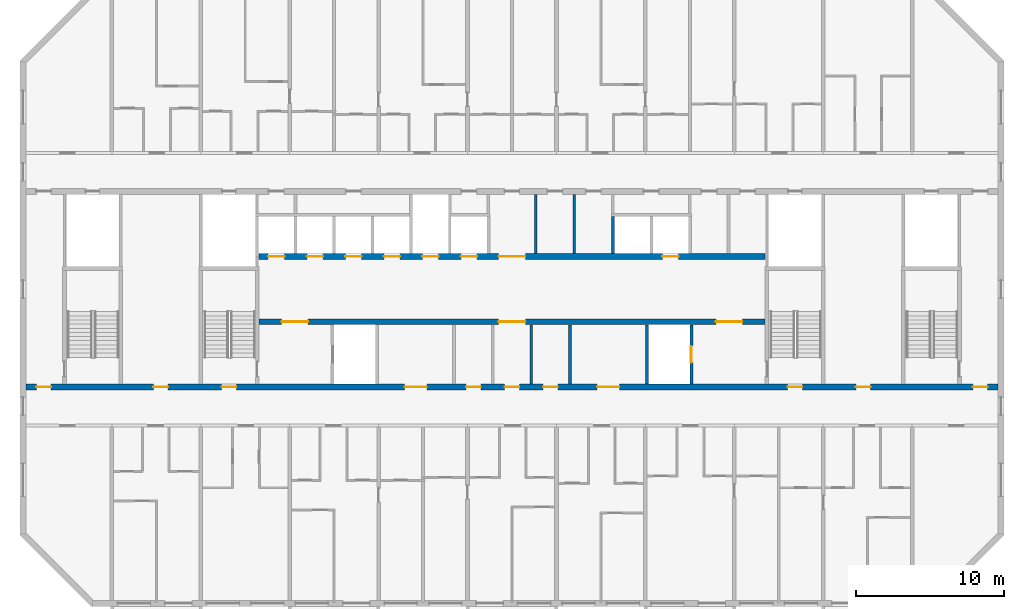
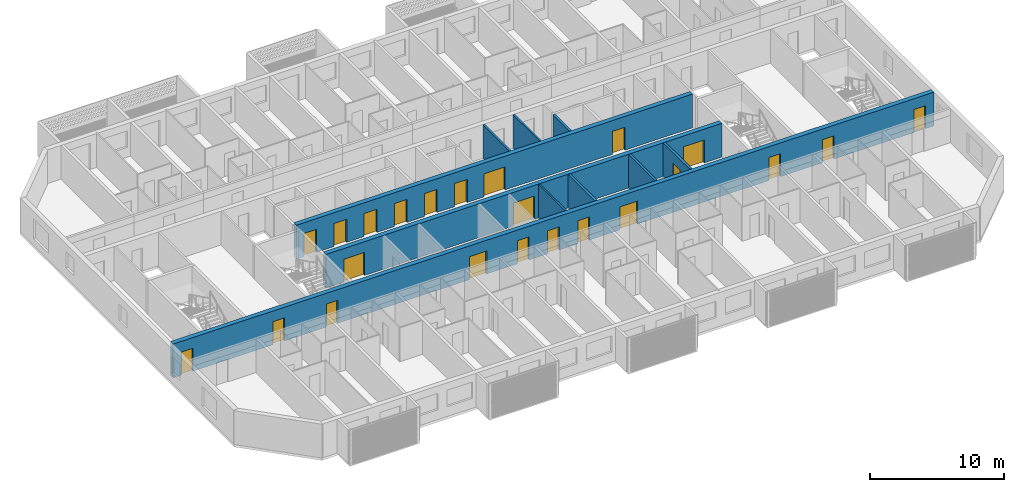
# One storey, part 6 of 27: 23 doors, 10 walls, 23 openings.
"""IFC4 building model written with IfcOpenShell, lengths in metres."""

import ifcopenshell
import ifcopenshell.guid

model = None  # the IFC model being written
_history = None  # IfcOwnerHistory: only IFC2X3 demands one
_inside = {}  # id of a spatial element -> (the spatial element, [elements in it])
_under = {}  # id of a project, library or spatial element -> (it, [spatial elements below it])
_declared = {}  # id of a project -> (the project, [libraries it declares])
_typed = {}  # id of a type object -> (the type object, [elements of that type])
_made_of = {}  # id of a material, layer set ... -> (it, [elements and type objects made of it])


def new_model(schema):
    """Start an empty IFC model of exactly this schema.

    Asked for "IFC4X3", IfcOpenShell would pick the latest addendum, in which some entities
    have other attributes; the version numbers below select the first issue.
    IFC2X3 requires an IfcOwnerHistory on every rooted entity: one is made here for all.
    """
    global model, _history
    if schema == "IFC4X3":
        model = ifcopenshell.file(schema_version=(4, 3, 0, 0))
    else:
        model = ifcopenshell.file(schema=schema)
    _inside.clear()
    _under.clear()
    _declared.clear()
    _typed.clear()
    _made_of.clear()
    _history = None
    if model.schema == "IFC2X3":
        org = make("IfcOrganization", Name="unknown")
        user = make(
            "IfcPersonAndOrganization",
            ThePerson=make("IfcPerson", FamilyName="unknown"),
            TheOrganization=org,
        )
        app = make(
            "IfcApplication",
            ApplicationDeveloper=org,
            Version="unknown",
            ApplicationFullName="unknown",
            ApplicationIdentifier="unknown",
        )
        _history = make(
            "IfcOwnerHistory",
            OwningUser=user,
            OwningApplication=app,
            ChangeAction="ADDED",
            CreationDate=0,
        )
    return model


def make(cls, **values):
    """One entity of the class cls with the attributes given. An attribute that is None is left unset."""
    return model.create_entity(
        cls, **{name: value for name, value in values.items() if value is not None}
    )


def rooted(cls, **values):
    """An entity with a GlobalId (a new one), such as an element, a storey or a relation."""
    return make(cls, GlobalId=ifcopenshell.guid.new(), OwnerHistory=_history, **values)


def si_unit(unit_type, name, prefix=None):
    """IfcSIUnit, for example si_unit("LENGTHUNIT", "METRE", prefix="MILLI")."""
    return make("IfcSIUnit", UnitType=unit_type, Prefix=prefix, Name=name)


def assignment(units):
    """IfcUnitAssignment: the units of a project."""
    return None if units is None else make("IfcUnitAssignment", Units=units)


def point(xyz):
    """IfcCartesianPoint."""
    return None if xyz is None else make("IfcCartesianPoint", Coordinates=xyz)


def direction(xyz):
    """IfcDirection."""
    return None if xyz is None else make("IfcDirection", DirectionRatios=xyz)


def frame(location, z_axis=None, x_axis=None):
    """IfcAxis2Placement3D, a coordinate frame: its origin and axes. An axis left out is left unset."""
    return make(
        "IfcAxis2Placement3D",
        Location=point(location),
        Axis=direction(z_axis),
        RefDirection=direction(x_axis),
    )


def frame_2d(location, x_axis=None):
    """IfcAxis2Placement2D, a coordinate frame in the plane: its origin and x axis."""
    return make(
        "IfcAxis2Placement2D", Location=point(location), RefDirection=direction(x_axis)
    )


def origin():
    """The frame at (0, 0, 0) with its axes left unset."""
    return frame((0.0, 0.0, 0.0))


def place(relative_to, where):
    """IfcLocalPlacement: puts the frame where relative to a parent placement (None: the world)."""
    return make(
        "IfcLocalPlacement", PlacementRelTo=relative_to, RelativePlacement=where
    )


def context(
    kind, dimensions, precision=None, world=None, true_north=None, identifier=None
):
    """IfcGeometricRepresentationContext, for example the 3D "Model" context."""
    return make(
        "IfcGeometricRepresentationContext",
        ContextIdentifier=identifier,
        ContextType=kind,
        CoordinateSpaceDimension=dimensions,
        Precision=precision,
        WorldCoordinateSystem=world,
        TrueNorth=true_north,
    )


def subcontext(parent, identifier, kind, view, scale=None):
    """IfcGeometricRepresentationSubContext, for example "Body" below "Model"."""
    return make(
        "IfcGeometricRepresentationSubContext",
        ContextIdentifier=identifier,
        ContextType=kind,
        ParentContext=parent,
        TargetScale=scale,
        TargetView=view,
    )


def project(units=None, contexts=None):
    """IfcProject with its units and contexts."""
    return rooted(
        "IfcProject",
        Name="project",
        RepresentationContexts=contexts,
        UnitsInContext=assignment(units),
    )


def spatial(cls, under=None, at=None, **own):
    """A site, building, storey or space (cls), placed at a placement, below another one or the project."""
    s = rooted(cls, ObjectPlacement=at, **own)
    if under is not None:
        _under.setdefault(under.id(), (under, []))[1].append(s)
    return s


def profile(cls, at=None, kind="AREA", **sizes):
    """A parametric profile (cls). Its sizes go by their IFC names, for example OverallWidth=200.0."""
    return make(cls, ProfileType=kind, Position=at, **sizes)


def rectangle(**sizes):
    """IfcRectangleProfileDef."""
    return profile("IfcRectangleProfileDef", **sizes)


def extrude(swept, where, along, depth):
    """IfcExtrudedAreaSolid: the profile swept, set in the frame where, extruded along a direction by depth."""
    return make(
        "IfcExtrudedAreaSolid",
        SweptArea=swept,
        Position=where,
        ExtrudedDirection=direction(along),
        Depth=depth,
    )


def shape(context_of_items, identifier, shape_type, items):
    """IfcShapeRepresentation: the items that make up one representation, for example the "Body"."""
    return make(
        "IfcShapeRepresentation",
        ContextOfItems=context_of_items,
        RepresentationIdentifier=identifier,
        RepresentationType=shape_type,
        Items=items,
    )


def material(Name=None, Category=None):
    """IfcMaterial."""
    return make("IfcMaterial", Name=Name, Category=Category)


def layer(
    of_material, thickness, ventilated=None, Name=None, Category=None, Priority=None
):
    """IfcMaterialLayer: one layer of a wall or slab, of a material (None: an air gap)."""
    return make(
        "IfcMaterialLayer",
        Material=of_material,
        LayerThickness=thickness,
        IsVentilated=ventilated,
        Name=Name,
        Category=Category,
        Priority=Priority,
    )


def layer_set(layers, Name=None):
    """IfcMaterialLayerSet."""
    return make("IfcMaterialLayerSet", MaterialLayers=layers, LayerSetName=Name)


def made_of(thing, what):
    """Note that an element or type object is made of a material, layer set ...; save() writes the relation."""
    if what is not None:
        _made_of.setdefault(what.id(), (what, []))[1].append(thing)
    return thing


def type_object(cls, material=None, **own):
    """A type object (cls), such as IfcWallType, which elements share."""
    return made_of(rooted(cls, **own), material)


def element(
    cls,
    number,
    at=None,
    inside=None,
    cuts=None,
    type_object=None,
    material=None,
    context=None,
    identifier="Body",
    shape_type=None,
    held_by="IfcProductDefinitionShape",
    body=None,
    shapes=None,
    **own,
):
    """One element of the class cls, such as IfcWall. Its Tag is "e" and its number.

    at: its placement. inside: the storey or other place that contains it. cuts: it is an
    opening in that element (IfcRelVoidsElement). A single representation is given by context,
    identifier, shape_type and body (its items); several are given by shapes. held_by: the class
    of the entity that holds the representations. save() writes the other relations.
    """
    e = rooted(cls, Tag="e%d" % number, ObjectPlacement=at, **own)
    if body is not None:
        shapes = [shape(context, identifier, shape_type, body)]
    if shapes is not None:
        e.Representation = make(held_by, Representations=shapes)
    if inside is not None:
        _inside.setdefault(inside.id(), (inside, []))[1].append(e)
    if cuts is not None:
        rooted(
            "IfcRelVoidsElement", RelatingBuildingElement=cuts, RelatedOpeningElement=e
        )
    if type_object is not None:
        _typed.setdefault(type_object.id(), (type_object, []))[1].append(e)
    return made_of(e, material)


def fill(opening, filler):
    """IfcRelFillsElement: the door or window that sits in an opening."""
    return rooted(
        "IfcRelFillsElement",
        RelatingOpeningElement=opening,
        RelatedBuildingElement=filler,
    )


def aggregate(whole, parts):
    """IfcRelAggregates: a whole, such as a stair, and the parts it consists of."""
    return rooted("IfcRelAggregates", RelatingObject=whole, RelatedObjects=parts)


def save(model, path):
    """Write the relations noted so far, then the file.

    IfcRelAggregates (storeys below a building ...), IfcRelContainedInSpatialStructure (elements
    in a storey), IfcRelDefinesByType, IfcRelAssociatesMaterial and IfcRelDeclares: one each for
    every whole, place, type object, material and project.
    """
    for whole, parts in _under.values():
        aggregate(whole, parts)
    for where, things in _inside.values():
        rooted(
            "IfcRelContainedInSpatialStructure",
            RelatedElements=things,
            RelatingStructure=where,
        )
    for kind, things in _typed.values():
        rooted("IfcRelDefinesByType", RelatedObjects=things, RelatingType=kind)
    for what, things in _made_of.values():
        rooted("IfcRelAssociatesMaterial", RelatedObjects=things, RelatingMaterial=what)
    for by, libraries in _declared.values():
        rooted("IfcRelDeclares", RelatingContext=by, RelatedDefinitions=libraries)
    model.write(path)


model = new_model("IFC4")

# Units and contexts
model_context = context("Model", 3, precision=1e-05, world=origin(), true_north=direction((0.0, 1.0)))
body_context = subcontext(model_context, "Body", "Model", "MODEL_VIEW")
ifc_project = project(units=[si_unit("LENGTHUNIT", "METRE"), si_unit("AREAUNIT", "SQUARE_METRE"), si_unit("VOLUMEUNIT", "CUBIC_METRE"), si_unit("PLANEANGLEUNIT", "RADIAN"), si_unit("MASSUNIT", "GRAM", prefix="KILO")], contexts=[model_context])

# Site, building, storey
site_placement = place(None, origin())
site = spatial("IfcSite", under=ifc_project, at=site_placement, CompositionType="ELEMENT")
building_placement = place(site_placement, origin())
building = spatial("IfcBuilding", under=site, at=building_placement, Name="Poui Terraces", CompositionType="ELEMENT")
storey_placement = place(building_placement, frame((0.0, 0.0, 191.699951171875)))
storey = spatial("IfcBuildingStorey", under=building, at=storey_placement, Name="L53", CompositionType="ELEMENT", Elevation=191.699951171875)

# Wall, openings, doors
ifc_material_1 = material(Name="Concrete 50 MPa", Category="concrete")
ifc_layer_1 = layer(ifc_material_1, 0.39990234375)
ifc_layer_set_1 = layer_set([ifc_layer_1], Name="Concrete 50 MPa")
wall_type_1 = type_object("IfcWallType", Name="CORE WALL 400 50 MPA", PredefinedType="SOLIDWALL", material=ifc_layer_set_1)
wall_1_placement = place(storey_placement, frame((33.925048828125, 19.0, 0.0), z_axis=(0.0, 0.0, 1.0), x_axis=(1.0, 0.0, 0.0)))
wall_1 = element("IfcWall", 1, at=wall_1_placement, inside=storey, type_object=wall_type_1, Name="CORE WALL", PredefinedType="SOLIDWALL", context=body_context, shape_type="SweptSolid", body=[
    extrude(rectangle(XDim=34.14990234375, YDim=0.39990234375, at=frame_2d((17.074951171875, 0.0))), origin(), (0.0, 0.0, 1.0), 3.080078125),
])
opening_1_placement = place(wall_1_placement, frame((16.175048828125, 0.0, 0.0)))
opening_1 = element("IfcOpeningElement", 2, at=opening_1_placement, cuts=wall_1, Name="Opening FDD60", PredefinedType="OPENING", context=body_context, shape_type="SweptSolid", body=[
    extrude(rectangle(XDim=1.800048828125, YDim=2.10009765625, at=frame_2d((0.89990234375, 1.050048828125))), frame((0.0, 0.2099609375, 0.0), z_axis=(0.0, -1.0, 0.0), x_axis=(1.0, 0.0, 0.0)), (0.0, 0.0, 1.0), 0.419921875),
])
opening_2_placement = place(wall_1_placement, frame((1.52490234375, 0.0, 0.0)))
opening_2 = element("IfcOpeningElement", 3, at=opening_2_placement, cuts=wall_1, Name="Opening FDD60", PredefinedType="OPENING", context=body_context, shape_type="SweptSolid", body=[
    extrude(rectangle(XDim=1.800048828125, YDim=2.10009765625, at=frame_2d((0.89990234375, 1.050048828125))), frame((0.0, 0.2099609375, 0.0), z_axis=(0.0, -1.0, 0.0), x_axis=(1.0, 0.0, 0.0)), (0.0, 0.0, 1.0), 0.419921875),
])
opening_3_placement = place(wall_1_placement, frame((30.824951171875, 0.0, 0.0)))
opening_3 = element("IfcOpeningElement", 4, at=opening_3_placement, cuts=wall_1, Name="Opening FDD60", PredefinedType="OPENING", context=body_context, shape_type="SweptSolid", body=[
    extrude(rectangle(XDim=1.800048828125, YDim=2.10009765625, at=frame_2d((0.89990234375, 1.050048828125))), frame((0.0, 0.2099609375, 0.0), z_axis=(0.0, -1.0, 0.0), x_axis=(1.0, 0.0, 0.0)), (0.0, 0.0, 1.0), 0.419921875),
])
ifc_material_2 = material(Name="Steel fire door", Category="steel")
door_type_1 = type_object("IfcDoorType", Name="DOUBLE LOBBY FIRE DOOR 1800 X 2100", OperationType="DOUBLE_DOOR_SINGLE_SWING", PredefinedType="DOOR", material=ifc_material_2)
door_1_placement = place(opening_1_placement, frame((1.800048828125, 0.0, 0.0), z_axis=(0.0, 0.0, 1.0), x_axis=(-1.0, 0.0, 0.0)))
door_1 = element("IfcDoor", 5, at=door_1_placement, inside=storey, type_object=door_type_1, Name="DOUBLE LOBBY FIRE DOOR 104", OperationType="DOUBLE_DOOR_SINGLE_SWING", OverallHeight=2.10009765625, OverallWidth=1.800048828125, PredefinedType="DOOR", context=body_context, shape_type="SweptSolid", body=[
    extrude(rectangle(XDim=1.800048828125, YDim=2.10009765625, at=frame_2d((0.89990234375, 1.050048828125))), frame((0.0, 0.02490234375, 0.0), z_axis=(0.0, -1.0, 0.0), x_axis=(1.0, 0.0, 0.0)), (0.0, 0.0, 1.0), 0.050048828125),
])
fill(opening_1, door_1)
door_2_placement = place(opening_2_placement, origin())
door_2 = element("IfcDoor", 6, at=door_2_placement, inside=storey, type_object=door_type_1, Name="DOUBLE LOBBY FIRE DOOR 106", OperationType="DOUBLE_DOOR_SINGLE_SWING", OverallHeight=2.10009765625, OverallWidth=1.800048828125, PredefinedType="DOOR", context=body_context, shape_type="SweptSolid", body=[
    extrude(rectangle(XDim=1.800048828125, YDim=2.10009765625, at=frame_2d((0.89990234375, 1.050048828125))), frame((0.0, 0.02490234375, 0.0), z_axis=(0.0, -1.0, 0.0), x_axis=(1.0, 0.0, 0.0)), (0.0, 0.0, 1.0), 0.050048828125),
])
fill(opening_2, door_2)
door_3_placement = place(opening_3_placement, origin())
door_3 = element("IfcDoor", 7, at=door_3_placement, inside=storey, type_object=door_type_1, Name="DOUBLE LOBBY FIRE DOOR 113", OperationType="DOUBLE_DOOR_SINGLE_SWING", OverallHeight=2.10009765625, OverallWidth=1.800048828125, PredefinedType="DOOR", context=body_context, shape_type="SweptSolid", body=[
    extrude(rectangle(XDim=1.800048828125, YDim=2.10009765625, at=frame_2d((0.89990234375, 1.050048828125))), frame((0.0, 0.02490234375, 0.0), z_axis=(0.0, -1.0, 0.0), x_axis=(1.0, 0.0, 0.0)), (0.0, 0.0, 1.0), 0.050048828125),
])
fill(opening_3, door_3)

wall_2_placement = place(storey_placement, frame((33.925048828125, 23.39990234375, 0.0), z_axis=(0.0, 0.0, 1.0), x_axis=(1.0, 0.0, 0.0)))
wall_2 = element("IfcWall", 8, at=wall_2_placement, inside=storey, type_object=wall_type_1, Name="CORE WALL", PredefinedType="SOLIDWALL", context=body_context, shape_type="SweptSolid", body=[
    extrude(rectangle(XDim=34.14990234375, YDim=0.39990234375, at=frame_2d((17.074951171875, 0.0))), origin(), (0.0, 0.0, 1.0), 3.080078125),
])
opening_4_placement = place(wall_2_placement, frame((16.175048828125, 0.0, 0.0)))
opening_4 = element("IfcOpeningElement", 9, at=opening_4_placement, cuts=wall_2, Name="Opening FDD60", PredefinedType="OPENING", context=body_context, shape_type="SweptSolid", body=[
    extrude(rectangle(XDim=1.800048828125, YDim=2.10009765625, at=frame_2d((0.89990234375, 1.050048828125))), frame((0.0, 0.2099609375, 0.0), z_axis=(0.0, -1.0, 0.0), x_axis=(1.0, 0.0, 0.0)), (0.0, 0.0, 1.0), 0.419921875),
])
opening_5_placement = place(wall_2_placement, frame((0.625, 0.0, 0.0)))
opening_5 = element("IfcOpeningElement", 10, at=opening_5_placement, cuts=wall_2, Name="Opening LD", PredefinedType="OPENING", context=body_context, shape_type="SweptSolid", body=[
    extrude(rectangle(XDim=1.10009765625, YDim=2.10009765625, at=frame_2d((0.550048828125, 1.050048828125))), frame((0.0, 0.2099609375, 0.0), z_axis=(0.0, -1.0, 0.0), x_axis=(1.0, 0.0, 0.0)), (0.0, 0.0, 1.0), 0.419921875),
])
opening_6_placement = place(wall_2_placement, frame((3.22509765625, 0.0, 0.0)))
opening_6 = element("IfcOpeningElement", 11, at=opening_6_placement, cuts=wall_2, Name="Opening LD", PredefinedType="OPENING", context=body_context, shape_type="SweptSolid", body=[
    extrude(rectangle(XDim=1.10009765625, YDim=2.10009765625, at=frame_2d((0.550048828125, 1.050048828125))), frame((0.0, 0.2099609375, 0.0), z_axis=(0.0, -1.0, 0.0), x_axis=(1.0, 0.0, 0.0)), (0.0, 0.0, 1.0), 0.419921875),
])
opening_7_placement = place(wall_2_placement, frame((5.824951171875, 0.0, 0.0)))
opening_7 = element("IfcOpeningElement", 12, at=opening_7_placement, cuts=wall_2, Name="Opening LD", PredefinedType="OPENING", context=body_context, shape_type="SweptSolid", body=[
    extrude(rectangle(XDim=1.10009765625, YDim=2.10009765625, at=frame_2d((0.550048828125, 1.050048828125))), frame((0.0, 0.2099609375, 0.0), z_axis=(0.0, -1.0, 0.0), x_axis=(1.0, 0.0, 0.0)), (0.0, 0.0, 1.0), 0.419921875),
])
opening_8_placement = place(wall_2_placement, frame((8.425048828125, 0.0, 0.0)))
opening_8 = element("IfcOpeningElement", 13, at=opening_8_placement, cuts=wall_2, Name="Opening LD", PredefinedType="OPENING", context=body_context, shape_type="SweptSolid", body=[
    extrude(rectangle(XDim=1.10009765625, YDim=2.10009765625, at=frame_2d((0.550048828125, 1.050048828125))), frame((0.0, 0.2099609375, 0.0), z_axis=(0.0, -1.0, 0.0), x_axis=(1.0, 0.0, 0.0)), (0.0, 0.0, 1.0), 0.419921875),
])
opening_9_placement = place(wall_2_placement, frame((11.02490234375, 0.0, 0.0)))
opening_9 = element("IfcOpeningElement", 14, at=opening_9_placement, cuts=wall_2, Name="Opening LD", PredefinedType="OPENING", context=body_context, shape_type="SweptSolid", body=[
    extrude(rectangle(XDim=1.10009765625, YDim=2.10009765625, at=frame_2d((0.550048828125, 1.050048828125))), frame((0.0, 0.2099609375, 0.0), z_axis=(0.0, -1.0, 0.0), x_axis=(1.0, 0.0, 0.0)), (0.0, 0.0, 1.0), 0.419921875),
])
opening_10_placement = place(wall_2_placement, frame((13.625, 0.0, 0.0)))
opening_10 = element("IfcOpeningElement", 15, at=opening_10_placement, cuts=wall_2, Name="Opening LD", PredefinedType="OPENING", context=body_context, shape_type="SweptSolid", body=[
    extrude(rectangle(XDim=1.10009765625, YDim=2.10009765625, at=frame_2d((0.550048828125, 1.050048828125))), frame((0.0, 0.2099609375, 0.0), z_axis=(0.0, -1.0, 0.0), x_axis=(1.0, 0.0, 0.0)), (0.0, 0.0, 1.0), 0.419921875),
])
opening_11_placement = place(wall_2_placement, frame((27.22509765625, 0.0, 0.0)))
opening_11 = element("IfcOpeningElement", 16, at=opening_11_placement, cuts=wall_2, Name="Opening LD", PredefinedType="OPENING", context=body_context, shape_type="SweptSolid", body=[
    extrude(rectangle(XDim=1.10009765625, YDim=2.10009765625, at=frame_2d((0.550048828125, 1.050048828125))), frame((0.0, 0.2099609375, 0.0), z_axis=(0.0, -1.0, 0.0), x_axis=(1.0, 0.0, 0.0)), (0.0, 0.0, 1.0), 0.419921875),
])
door_4_placement = place(opening_4_placement, origin())
door_4 = element("IfcDoor", 17, at=door_4_placement, inside=storey, type_object=door_type_1, Name="DOUBLE LOBBY FIRE DOOR 103", OperationType="DOUBLE_DOOR_SINGLE_SWING", OverallHeight=2.10009765625, OverallWidth=1.800048828125, PredefinedType="DOOR", context=body_context, shape_type="SweptSolid", body=[
    extrude(rectangle(XDim=1.800048828125, YDim=2.10009765625, at=frame_2d((0.89990234375, 1.050048828125))), frame((0.0, 0.02490234375, 0.0), z_axis=(0.0, -1.0, 0.0), x_axis=(1.0, 0.0, 0.0)), (0.0, 0.0, 1.0), 0.050048828125),
])
fill(opening_4, door_4)
ifc_material_3 = material(Name="Stainless steel sliding door", Category="steel")
door_type_2 = type_object("IfcDoorType", Name="LIFT LANDING DOOR 1100 X 2100", OperationType="DOUBLE_DOOR_SLIDING", PredefinedType="DOOR", material=ifc_material_3)
door_5_placement = place(opening_5_placement, origin())
door_5 = element("IfcDoor", 18, at=door_5_placement, inside=storey, type_object=door_type_2, Name="LANDING DOOR", OperationType="DOUBLE_DOOR_SLIDING", OverallHeight=2.10009765625, OverallWidth=1.10009765625, PredefinedType="DOOR", context=body_context, shape_type="SweptSolid", body=[
    extrude(rectangle(XDim=1.10009765625, YDim=2.10009765625, at=frame_2d((0.550048828125, 1.050048828125))), frame((0.0, 0.02490234375, 0.0), z_axis=(0.0, -1.0, 0.0), x_axis=(1.0, 0.0, 0.0)), (0.0, 0.0, 1.0), 0.050048828125),
])
fill(opening_5, door_5)
door_6_placement = place(opening_6_placement, origin())
door_6 = element("IfcDoor", 19, at=door_6_placement, inside=storey, type_object=door_type_2, Name="LANDING DOOR", OperationType="DOUBLE_DOOR_SLIDING", OverallHeight=2.10009765625, OverallWidth=1.10009765625, PredefinedType="DOOR", context=body_context, shape_type="SweptSolid", body=[
    extrude(rectangle(XDim=1.10009765625, YDim=2.10009765625, at=frame_2d((0.550048828125, 1.050048828125))), frame((0.0, 0.02490234375, 0.0), z_axis=(0.0, -1.0, 0.0), x_axis=(1.0, 0.0, 0.0)), (0.0, 0.0, 1.0), 0.050048828125),
])
fill(opening_6, door_6)
door_7_placement = place(opening_7_placement, origin())
door_7 = element("IfcDoor", 20, at=door_7_placement, inside=storey, type_object=door_type_2, Name="LANDING DOOR", OperationType="DOUBLE_DOOR_SLIDING", OverallHeight=2.10009765625, OverallWidth=1.10009765625, PredefinedType="DOOR", context=body_context, shape_type="SweptSolid", body=[
    extrude(rectangle(XDim=1.10009765625, YDim=2.10009765625, at=frame_2d((0.550048828125, 1.050048828125))), frame((0.0, 0.02490234375, 0.0), z_axis=(0.0, -1.0, 0.0), x_axis=(1.0, 0.0, 0.0)), (0.0, 0.0, 1.0), 0.050048828125),
])
fill(opening_7, door_7)
door_8_placement = place(opening_8_placement, origin())
door_8 = element("IfcDoor", 21, at=door_8_placement, inside=storey, type_object=door_type_2, Name="LANDING DOOR", OperationType="DOUBLE_DOOR_SLIDING", OverallHeight=2.10009765625, OverallWidth=1.10009765625, PredefinedType="DOOR", context=body_context, shape_type="SweptSolid", body=[
    extrude(rectangle(XDim=1.10009765625, YDim=2.10009765625, at=frame_2d((0.550048828125, 1.050048828125))), frame((0.0, 0.02490234375, 0.0), z_axis=(0.0, -1.0, 0.0), x_axis=(1.0, 0.0, 0.0)), (0.0, 0.0, 1.0), 0.050048828125),
])
fill(opening_8, door_8)
door_9_placement = place(opening_9_placement, origin())
door_9 = element("IfcDoor", 22, at=door_9_placement, inside=storey, type_object=door_type_2, Name="LANDING DOOR", OperationType="DOUBLE_DOOR_SLIDING", OverallHeight=2.10009765625, OverallWidth=1.10009765625, PredefinedType="DOOR", context=body_context, shape_type="SweptSolid", body=[
    extrude(rectangle(XDim=1.10009765625, YDim=2.10009765625, at=frame_2d((0.550048828125, 1.050048828125))), frame((0.0, 0.02490234375, 0.0), z_axis=(0.0, -1.0, 0.0), x_axis=(1.0, 0.0, 0.0)), (0.0, 0.0, 1.0), 0.050048828125),
])
fill(opening_9, door_9)
door_10_placement = place(opening_10_placement, origin())
door_10 = element("IfcDoor", 23, at=door_10_placement, inside=storey, type_object=door_type_2, Name="LANDING DOOR", OperationType="DOUBLE_DOOR_SLIDING", OverallHeight=2.10009765625, OverallWidth=1.10009765625, PredefinedType="DOOR", context=body_context, shape_type="SweptSolid", body=[
    extrude(rectangle(XDim=1.10009765625, YDim=2.10009765625, at=frame_2d((0.550048828125, 1.050048828125))), frame((0.0, 0.02490234375, 0.0), z_axis=(0.0, -1.0, 0.0), x_axis=(1.0, 0.0, 0.0)), (0.0, 0.0, 1.0), 0.050048828125),
])
fill(opening_10, door_10)
door_11_placement = place(opening_11_placement, origin())
door_11 = element("IfcDoor", 24, at=door_11_placement, inside=storey, type_object=door_type_2, Name="LANDING DOOR", OperationType="DOUBLE_DOOR_SLIDING", OverallHeight=2.10009765625, OverallWidth=1.10009765625, PredefinedType="DOOR", context=body_context, shape_type="SweptSolid", body=[
    extrude(rectangle(XDim=1.10009765625, YDim=2.10009765625, at=frame_2d((0.550048828125, 1.050048828125))), frame((0.0, 0.02490234375, 0.0), z_axis=(0.0, -1.0, 0.0), x_axis=(1.0, 0.0, 0.0)), (0.0, 0.0, 1.0), 0.050048828125),
])
fill(opening_11, door_11)

# Walls
ifc_material_4 = material(Name="Fire-rated plasterboard wall")
ifc_layer_2 = layer(ifc_material_4, 0.14990234375)
ifc_layer_set_2 = layer_set([ifc_layer_2], Name="Fire-rated plasterboard wall")
wall_type_2 = type_object("IfcWallType", Name="CORRIDOR WALL 150", PredefinedType="PARTITIONING", material=ifc_layer_set_2)
for number, where, z_axis, x_axis, name in (
    (25, (52.300048828125, 14.81005859375, 0.0), (0.0, 0.0, 1.0), (0.0, 1.0, 0.0), "CORRIDOR WALL 150"),
    (26, (52.60009765625, 23.610107421875, 0.0), (0.0, 0.0, 1.0), (0.0, 1.0, 0.0), "CORRIDOR WALL 150"),
):
    element("IfcWall", number, at=place(storey_placement, frame(where, z_axis=z_axis, x_axis=x_axis)), inside=storey, type_object=wall_type_2, Name=name, PredefinedType="PARTITIONING", context=body_context, shape_type="SweptSolid", body=[
        extrude(rectangle(XDim=3.97998046875, YDim=0.14990234375, at=frame_2d((1.989990234375, 0.0))), origin(), (0.0, 0.0, 1.0), 3.080078125),
    ])
ifc_material_5 = material(Name="Plasterboard partition")
ifc_layer_3 = layer(ifc_material_5, 0.14990234375)
ifc_layer_set_3 = layer_set([ifc_layer_3], Name="Plasterboard partition")
wall_type_3 = type_object("IfcWallType", Name="PARTITION WALL 150", PredefinedType="PARTITIONING", material=ifc_layer_set_3)
wall_3_placement = place(storey_placement, frame((55.199951171875, 23.610107421875, 0.0), z_axis=(0.0, 0.0, 1.0), x_axis=(0.0, 1.0, 0.0)))
element("IfcWall", 27, at=wall_3_placement, inside=storey, type_object=wall_type_3, Name="PARTITION WALL 150", PredefinedType="PARTITIONING", context=body_context, shape_type="SweptSolid", body=[
    extrude(rectangle(XDim=3.97998046875, YDim=0.14990234375, at=frame_2d((1.989990234375, 0.0))), origin(), (0.0, 0.0, 1.0), 3.080078125),
])
ifc_material_6 = material(Name="Fire-rated masonry wall", Category="masonry")
ifc_layer_4 = layer(ifc_material_6, 0.199951171875)
ifc_layer_set_4 = layer_set([ifc_layer_4], Name="Fire-rated masonry wall")
wall_type_4 = type_object("IfcWallType", Name="PLANT ROOM WALL 200", PredefinedType="PARTITIONING", material=ifc_layer_set_4)
wall_4_placement = place(storey_placement, frame((54.89990234375, 14.81005859375, 0.0), z_axis=(0.0, 0.0, 1.0), x_axis=(0.0, 1.0, 0.0)))
element("IfcWall", 28, at=wall_4_placement, inside=storey, type_object=wall_type_4, Name="PLANT ROOM WALL 200", PredefinedType="PARTITIONING", context=body_context, shape_type="SweptSolid", body=[
    extrude(rectangle(XDim=3.97998046875, YDim=0.199951171875, at=frame_2d((1.989990234375, 0.0))), origin(), (0.0, 0.0, 1.0), 3.080078125),
])
ifc_material_7 = material(Name="Fire-rated masonry shaft wall", Category="masonry")
ifc_layer_5 = layer(ifc_material_7, 0.199951171875)
ifc_layer_set_5 = layer_set([ifc_layer_5], Name="Fire-rated masonry shaft wall")
wall_type_5 = type_object("IfcWallType", Name="SHAFT WALL 200", PredefinedType="PARTITIONING", material=ifc_layer_set_5)
wall_5_placement = place(storey_placement, frame((57.800048828125, 23.610107421875, 0.0), z_axis=(0.0, 0.0, 1.0), x_axis=(0.0, 1.0, 0.0)))
element("IfcWall", 29, at=wall_5_placement, inside=storey, type_object=wall_type_5, Name="SHAFT WALL 200", PredefinedType="PARTITIONING", context=body_context, shape_type="SweptSolid", body=[
    extrude(rectangle(XDim=2.489990234375, YDim=0.199951171875, at=frame_2d((1.2451171875, 0.0))), origin(), (0.0, 0.0, 1.0), 3.080078125),
])
wall_6_placement = place(storey_placement, frame((60.10009765625, 14.81005859375, 0.0), z_axis=(0.0, 0.0, 1.0), x_axis=(0.0, 1.0, 0.0)))
element("IfcWall", 30, at=wall_6_placement, inside=storey, type_object=wall_type_5, Name="SHAFT WALL 200", PredefinedType="PARTITIONING", context=body_context, shape_type="SweptSolid", body=[
    extrude(rectangle(XDim=3.97998046875, YDim=0.199951171875, at=frame_2d((1.989990234375, 0.0))), origin(), (0.0, 0.0, 1.0), 3.080078125),
])

# Wall, opening, door
wall_7_placement = place(storey_placement, frame((63.10009765625, 14.81005859375, 0.0), z_axis=(0.0, 0.0, 1.0), x_axis=(0.0, 1.0, 0.0)))
wall_7 = element("IfcWall", 31, at=wall_7_placement, inside=storey, type_object=wall_type_5, Name="SHAFT WALL 200", PredefinedType="PARTITIONING", context=body_context, shape_type="SweptSolid", body=[
    extrude(rectangle(XDim=3.97998046875, YDim=0.199951171875, at=frame_2d((1.989990234375, 0.0))), origin(), (0.0, 0.0, 1.0), 3.080078125),
])
opening_12_placement = place(wall_7_placement, frame((1.43994140625, 0.0, 0.0)))
opening_12 = element("IfcOpeningElement", 32, at=opening_12_placement, cuts=wall_7, Name="Opening LD", PredefinedType="OPENING", context=body_context, shape_type="SweptSolid", body=[
    extrude(rectangle(XDim=1.10009765625, YDim=2.10009765625, at=frame_2d((0.550048828125, 1.050048828125))), frame((0.0, 0.10986328125, 0.0), z_axis=(0.0, -1.0, 0.0), x_axis=(1.0, 0.0, 0.0)), (0.0, 0.0, 1.0), 0.219970703125),
])
door_12_placement = place(opening_12_placement, origin())
door_12 = element("IfcDoor", 33, at=door_12_placement, inside=storey, type_object=door_type_2, Name="LANDING DOOR", OperationType="DOUBLE_DOOR_SLIDING", OverallHeight=2.10009765625, OverallWidth=1.10009765625, PredefinedType="DOOR", context=body_context, shape_type="SweptSolid", body=[
    extrude(rectangle(XDim=1.10009765625, YDim=2.10009765625, at=frame_2d((0.550048828125, 1.050048828125))), frame((0.0, 0.02490234375, 0.0), z_axis=(0.0, -1.0, 0.0), x_axis=(1.0, 0.0, 0.0)), (0.0, 0.0, 1.0), 0.050048828125),
])
fill(opening_12, door_12)

# Wall, openings, doors
ifc_layer_6 = layer(ifc_material_1, 0.39990234375)
ifc_layer_set_6 = layer_set([ifc_layer_6], Name="Concrete 50 MPa")
wall_type_6 = type_object("IfcWallType", Name="SPINE WALL 400 50 MPA", PredefinedType="SOLIDWALL", material=ifc_layer_set_6)
wall_8_placement = place(storey_placement, frame((18.199951171875, 14.60009765625, 0.0), z_axis=(0.0, 0.0, 1.0), x_axis=(1.0, 0.0, 0.0)))
wall_8 = element("IfcWall", 34, at=wall_8_placement, inside=storey, type_object=wall_type_6, Name="SPINE WALL", PredefinedType="SOLIDWALL", context=body_context, shape_type="SweptSolid", body=[
    extrude(rectangle(XDim=65.60009765625, YDim=0.39990234375, at=frame_2d((32.800048828125, 0.0))), origin(), (0.0, 0.0, 1.0), 3.080078125),
])
opening_13_placement = place(wall_8_placement, frame((0.699951171875, 0.0, 0.0)))
opening_13 = element("IfcOpeningElement", 35, at=opening_13_placement, cuts=wall_8, Name="Opening FDL", PredefinedType="OPENING", context=body_context, shape_type="SweptSolid", body=[
    extrude(rectangle(XDim=1.0, YDim=2.10009765625, at=frame_2d((0.5, 1.050048828125))), frame((0.0, 0.2099609375, 0.0), z_axis=(0.0, -1.0, 0.0), x_axis=(1.0, 0.0, 0.0)), (0.0, 0.0, 1.0), 0.419921875),
])
opening_14_placement = place(wall_8_placement, frame((8.60009765625, 0.0, 0.0)))
opening_14 = element("IfcOpeningElement", 36, at=opening_14_placement, cuts=wall_8, Name="Opening D100", PredefinedType="OPENING", context=body_context, shape_type="SweptSolid", body=[
    extrude(rectangle(XDim=1.0, YDim=2.10009765625, at=frame_2d((0.5, 1.050048828125))), frame((0.0, 0.2099609375, 0.0), z_axis=(0.0, -1.0, 0.0), x_axis=(1.0, 0.0, 0.0)), (0.0, 0.0, 1.0), 0.419921875),
])
opening_15_placement = place(wall_8_placement, frame((13.199951171875, 0.0, 0.0)))
opening_15 = element("IfcOpeningElement", 37, at=opening_15_placement, cuts=wall_8, Name="Opening FD60S", PredefinedType="OPENING", context=body_context, shape_type="SweptSolid", body=[
    extrude(rectangle(XDim=1.0, YDim=2.10009765625, at=frame_2d((0.5, 1.050048828125))), frame((0.0, 0.2099609375, 0.0), z_axis=(0.0, -1.0, 0.0), x_axis=(1.0, 0.0, 0.0)), (0.0, 0.0, 1.0), 0.419921875),
])
opening_16_placement = place(wall_8_placement, frame((25.550048828125, 0.0, 0.0)))
opening_16 = element("IfcOpeningElement", 38, at=opening_16_placement, cuts=wall_8, Name="Opening FDP", PredefinedType="OPENING", context=body_context, shape_type="SweptSolid", body=[
    extrude(rectangle(XDim=1.5, YDim=2.10009765625, at=frame_2d((0.75, 1.050048828125))), frame((0.0, 0.2099609375, 0.0), z_axis=(0.0, -1.0, 0.0), x_axis=(1.0, 0.0, 0.0)), (0.0, 0.0, 1.0), 0.419921875),
])
opening_17_placement = place(wall_8_placement, frame((29.699951171875, 0.0, 0.0)))
opening_17 = element("IfcOpeningElement", 39, at=opening_17_placement, cuts=wall_8, Name="Opening FD60", PredefinedType="OPENING", context=body_context, shape_type="SweptSolid", body=[
    extrude(rectangle(XDim=1.0, YDim=2.10009765625, at=frame_2d((0.5, 1.050048828125))), frame((0.0, 0.2099609375, 0.0), z_axis=(0.0, -1.0, 0.0), x_axis=(1.0, 0.0, 0.0)), (0.0, 0.0, 1.0), 0.419921875),
])
opening_18_placement = place(wall_8_placement, frame((32.300048828125, 0.0, 0.0)))
opening_18 = element("IfcOpeningElement", 40, at=opening_18_placement, cuts=wall_8, Name="Opening FDL", PredefinedType="OPENING", context=body_context, shape_type="SweptSolid", body=[
    extrude(rectangle(XDim=1.0, YDim=2.10009765625, at=frame_2d((0.5, 1.050048828125))), frame((0.0, 0.2099609375, 0.0), z_axis=(0.0, -1.0, 0.0), x_axis=(1.0, 0.0, 0.0)), (0.0, 0.0, 1.0), 0.419921875),
])
opening_19_placement = place(wall_8_placement, frame((34.89990234375, 0.0, 0.0)))
opening_19 = element("IfcOpeningElement", 41, at=opening_19_placement, cuts=wall_8, Name="Opening FD60", PredefinedType="OPENING", context=body_context, shape_type="SweptSolid", body=[
    extrude(rectangle(XDim=1.0, YDim=2.10009765625, at=frame_2d((0.5, 1.050048828125))), frame((0.0, 0.2099609375, 0.0), z_axis=(0.0, -1.0, 0.0), x_axis=(1.0, 0.0, 0.0)), (0.0, 0.0, 1.0), 0.419921875),
])
opening_20_placement = place(wall_8_placement, frame((38.550048828125, 0.0, 0.0)))
opening_20 = element("IfcOpeningElement", 42, at=opening_20_placement, cuts=wall_8, Name="Opening FDP", PredefinedType="OPENING", context=body_context, shape_type="SweptSolid", body=[
    extrude(rectangle(XDim=1.5, YDim=2.10009765625, at=frame_2d((0.75, 1.050048828125))), frame((0.0, 0.2099609375, 0.0), z_axis=(0.0, -1.0, 0.0), x_axis=(1.0, 0.0, 0.0)), (0.0, 0.0, 1.0), 0.419921875),
])
opening_21_placement = place(wall_8_placement, frame((51.39990234375, 0.0, 0.0)))
opening_21 = element("IfcOpeningElement", 43, at=opening_21_placement, cuts=wall_8, Name="Opening FD60S", PredefinedType="OPENING", context=body_context, shape_type="SweptSolid", body=[
    extrude(rectangle(XDim=1.0, YDim=2.10009765625, at=frame_2d((0.5, 1.050048828125))), frame((0.0, 0.2099609375, 0.0), z_axis=(0.0, -1.0, 0.0), x_axis=(1.0, 0.0, 0.0)), (0.0, 0.0, 1.0), 0.419921875),
])
opening_22_placement = place(wall_8_placement, frame((56.0, 0.0, 0.0)))
opening_22 = element("IfcOpeningElement", 44, at=opening_22_placement, cuts=wall_8, Name="Opening D100", PredefinedType="OPENING", context=body_context, shape_type="SweptSolid", body=[
    extrude(rectangle(XDim=1.0, YDim=2.10009765625, at=frame_2d((0.5, 1.050048828125))), frame((0.0, 0.2099609375, 0.0), z_axis=(0.0, -1.0, 0.0), x_axis=(1.0, 0.0, 0.0)), (0.0, 0.0, 1.0), 0.419921875),
])
opening_23_placement = place(wall_8_placement, frame((63.89990234375, 0.0, 0.0)))
opening_23 = element("IfcOpeningElement", 45, at=opening_23_placement, cuts=wall_8, Name="Opening FDL", PredefinedType="OPENING", context=body_context, shape_type="SweptSolid", body=[
    extrude(rectangle(XDim=1.0, YDim=2.10009765625, at=frame_2d((0.5, 1.050048828125))), frame((0.0, 0.2099609375, 0.0), z_axis=(0.0, -1.0, 0.0), x_axis=(1.0, 0.0, 0.0)), (0.0, 0.0, 1.0), 0.419921875),
])
ifc_material_8 = material(Name="Solid core timber door", Category="wood")
door_type_3 = type_object("IfcDoorType", Name="ACCESSIBLE INTERNAL DOOR 1000 X 2100", OperationType="NOTDEFINED", PredefinedType="DOOR", material=ifc_material_8)
door_13_placement = place(opening_14_placement, frame((1.0, 0.0, 0.0), z_axis=(0.0, 0.0, 1.0), x_axis=(-1.0, 0.0, 0.0)))
door_13 = element("IfcDoor", 46, at=door_13_placement, inside=storey, type_object=door_type_3, Name="ACCESSIBLE INTERNAL DOOR 017", OperationType="SINGLE_SWING_LEFT", OverallHeight=2.10009765625, OverallWidth=1.0, PredefinedType="DOOR", context=body_context, shape_type="SweptSolid", body=[
    extrude(rectangle(XDim=1.0, YDim=2.10009765625, at=frame_2d((0.5, 1.050048828125))), frame((0.0, 0.02490234375, 0.0), z_axis=(0.0, -1.0, 0.0), x_axis=(1.0, 0.0, 0.0)), (0.0, 0.0, 1.0), 0.050048828125),
])
fill(opening_14, door_13)
door_14_placement = place(opening_22_placement, frame((1.0, 0.0, 0.0), z_axis=(0.0, 0.0, 1.0), x_axis=(-1.0, 0.0, 0.0)))
door_14 = element("IfcDoor", 47, at=door_14_placement, inside=storey, type_object=door_type_3, Name="ACCESSIBLE INTERNAL DOOR 025", OperationType="SINGLE_SWING_RIGHT", OverallHeight=2.10009765625, OverallWidth=1.0, PredefinedType="DOOR", context=body_context, shape_type="SweptSolid", body=[
    extrude(rectangle(XDim=1.0, YDim=2.10009765625, at=frame_2d((0.5, 1.050048828125))), frame((0.0, 0.02490234375, 0.0), z_axis=(0.0, -1.0, 0.0), x_axis=(1.0, 0.0, 0.0)), (0.0, 0.0, 1.0), 0.050048828125),
])
fill(opening_22, door_14)
door_type_4 = type_object("IfcDoorType", Name="LOBBY FIRE DOOR 1000 X 2100", OperationType="NOTDEFINED", PredefinedType="DOOR", material=ifc_material_2)
door_15_placement = place(opening_13_placement, frame((1.0, 0.0, 0.0), z_axis=(0.0, 0.0, 1.0), x_axis=(-1.0, 0.0, 0.0)))
door_15 = element("IfcDoor", 48, at=door_15_placement, inside=storey, type_object=door_type_4, Name="LOBBY FIRE DOOR 016", OperationType="SINGLE_SWING_RIGHT", OverallHeight=2.10009765625, OverallWidth=1.0, PredefinedType="DOOR", context=body_context, shape_type="SweptSolid", body=[
    extrude(rectangle(XDim=1.0, YDim=2.10009765625, at=frame_2d((0.5, 1.050048828125))), frame((0.0, 0.02490234375, 0.0), z_axis=(0.0, -1.0, 0.0), x_axis=(1.0, 0.0, 0.0)), (0.0, 0.0, 1.0), 0.050048828125),
])
fill(opening_13, door_15)
door_16_placement = place(opening_18_placement, frame((1.0, 0.0, 0.0), z_axis=(0.0, 0.0, 1.0), x_axis=(-1.0, 0.0, 0.0)))
door_16 = element("IfcDoor", 49, at=door_16_placement, inside=storey, type_object=door_type_4, Name="LOBBY FIRE DOOR 021", OperationType="SINGLE_SWING_LEFT", OverallHeight=2.10009765625, OverallWidth=1.0, PredefinedType="DOOR", context=body_context, shape_type="SweptSolid", body=[
    extrude(rectangle(XDim=1.0, YDim=2.10009765625, at=frame_2d((0.5, 1.050048828125))), frame((0.0, 0.02490234375, 0.0), z_axis=(0.0, -1.0, 0.0), x_axis=(1.0, 0.0, 0.0)), (0.0, 0.0, 1.0), 0.050048828125),
])
fill(opening_18, door_16)
door_17_placement = place(opening_23_placement, frame((1.0, 0.0, 0.0), z_axis=(0.0, 0.0, 1.0), x_axis=(-1.0, 0.0, 0.0)))
door_17 = element("IfcDoor", 50, at=door_17_placement, inside=storey, type_object=door_type_4, Name="LOBBY FIRE DOOR 026", OperationType="SINGLE_SWING_LEFT", OverallHeight=2.10009765625, OverallWidth=1.0, PredefinedType="DOOR", context=body_context, shape_type="SweptSolid", body=[
    extrude(rectangle(XDim=1.0, YDim=2.10009765625, at=frame_2d((0.5, 1.050048828125))), frame((0.0, 0.02490234375, 0.0), z_axis=(0.0, -1.0, 0.0), x_axis=(1.0, 0.0, 0.0)), (0.0, 0.0, 1.0), 0.050048828125),
])
fill(opening_23, door_17)
door_type_5 = type_object("IfcDoorType", Name="PLANT ROOM DOOR PAIR 1500 X 2100", OperationType="DOUBLE_DOOR_SINGLE_SWING", PredefinedType="DOOR", material=ifc_material_2)
door_18_placement = place(opening_16_placement, frame((1.5, 0.0, 0.0), z_axis=(0.0, 0.0, 1.0), x_axis=(-1.0, 0.0, 0.0)))
door_18 = element("IfcDoor", 51, at=door_18_placement, inside=storey, type_object=door_type_5, Name="PLANT ROOM DOOR PAIR 019", OperationType="DOUBLE_DOOR_SINGLE_SWING", OverallHeight=2.10009765625, OverallWidth=1.5, PredefinedType="DOOR", context=body_context, shape_type="SweptSolid", body=[
    extrude(rectangle(XDim=1.5, YDim=2.10009765625, at=frame_2d((0.75, 1.050048828125))), frame((0.0, 0.02490234375, 0.0), z_axis=(0.0, -1.0, 0.0), x_axis=(1.0, 0.0, 0.0)), (0.0, 0.0, 1.0), 0.050048828125),
])
fill(opening_16, door_18)
door_19_placement = place(opening_20_placement, frame((1.5, 0.0, 0.0), z_axis=(0.0, 0.0, 1.0), x_axis=(-1.0, 0.0, 0.0)))
door_19 = element("IfcDoor", 52, at=door_19_placement, inside=storey, type_object=door_type_5, Name="PLANT ROOM DOOR PAIR 023", OperationType="DOUBLE_DOOR_SINGLE_SWING", OverallHeight=2.10009765625, OverallWidth=1.5, PredefinedType="DOOR", context=body_context, shape_type="SweptSolid", body=[
    extrude(rectangle(XDim=1.5, YDim=2.10009765625, at=frame_2d((0.75, 1.050048828125))), frame((0.0, 0.02490234375, 0.0), z_axis=(0.0, -1.0, 0.0), x_axis=(1.0, 0.0, 0.0)), (0.0, 0.0, 1.0), 0.050048828125),
])
fill(opening_20, door_19)
door_type_6 = type_object("IfcDoorType", Name="SERVICE ROOM FIRE DOOR 1000 X 2100", OperationType="NOTDEFINED", PredefinedType="DOOR", material=ifc_material_2)
door_20_placement = place(opening_17_placement, frame((1.0, 0.0, 0.0), z_axis=(0.0, 0.0, 1.0), x_axis=(-1.0, 0.0, 0.0)))
door_20 = element("IfcDoor", 53, at=door_20_placement, inside=storey, type_object=door_type_6, Name="SERVICE ROOM FIRE DOOR 020", OperationType="SINGLE_SWING_RIGHT", OverallHeight=2.10009765625, OverallWidth=1.0, PredefinedType="DOOR", context=body_context, shape_type="SweptSolid", body=[
    extrude(rectangle(XDim=1.0, YDim=2.10009765625, at=frame_2d((0.5, 1.050048828125))), frame((0.0, 0.02490234375, 0.0), z_axis=(0.0, -1.0, 0.0), x_axis=(1.0, 0.0, 0.0)), (0.0, 0.0, 1.0), 0.050048828125),
])
fill(opening_17, door_20)
door_21_placement = place(opening_19_placement, frame((1.0, 0.0, 0.0), z_axis=(0.0, 0.0, 1.0), x_axis=(-1.0, 0.0, 0.0)))
door_21 = element("IfcDoor", 54, at=door_21_placement, inside=storey, type_object=door_type_6, Name="SERVICE ROOM FIRE DOOR 022", OperationType="SINGLE_SWING_LEFT", OverallHeight=2.10009765625, OverallWidth=1.0, PredefinedType="DOOR", context=body_context, shape_type="SweptSolid", body=[
    extrude(rectangle(XDim=1.0, YDim=2.10009765625, at=frame_2d((0.5, 1.050048828125))), frame((0.0, 0.02490234375, 0.0), z_axis=(0.0, -1.0, 0.0), x_axis=(1.0, 0.0, 0.0)), (0.0, 0.0, 1.0), 0.050048828125),
])
fill(opening_19, door_21)
door_type_7 = type_object("IfcDoorType", Name="STAIR DOOR 1000 X 2100", OperationType="NOTDEFINED", PredefinedType="DOOR", material=ifc_material_2)
door_22_placement = place(opening_15_placement, origin())
door_22 = element("IfcDoor", 55, at=door_22_placement, inside=storey, type_object=door_type_7, Name="STAIR DOOR 018", OperationType="SINGLE_SWING_RIGHT", OverallHeight=2.10009765625, OverallWidth=1.0, PredefinedType="DOOR", context=body_context, shape_type="SweptSolid", body=[
    extrude(rectangle(XDim=1.0, YDim=2.10009765625, at=frame_2d((0.5, 1.050048828125))), frame((0.0, 0.02490234375, 0.0), z_axis=(0.0, -1.0, 0.0), x_axis=(1.0, 0.0, 0.0)), (0.0, 0.0, 1.0), 0.050048828125),
])
fill(opening_15, door_22)
door_23_placement = place(opening_21_placement, origin())
door_23 = element("IfcDoor", 56, at=door_23_placement, inside=storey, type_object=door_type_7, Name="STAIR DOOR 024", OperationType="SINGLE_SWING_RIGHT", OverallHeight=2.10009765625, OverallWidth=1.0, PredefinedType="DOOR", context=body_context, shape_type="SweptSolid", body=[
    extrude(rectangle(XDim=1.0, YDim=2.10009765625, at=frame_2d((0.5, 1.050048828125))), frame((0.0, 0.02490234375, 0.0), z_axis=(0.0, -1.0, 0.0), x_axis=(1.0, 0.0, 0.0)), (0.0, 0.0, 1.0), 0.050048828125),
])
fill(opening_21, door_23)

save(model, "model.ifc")
